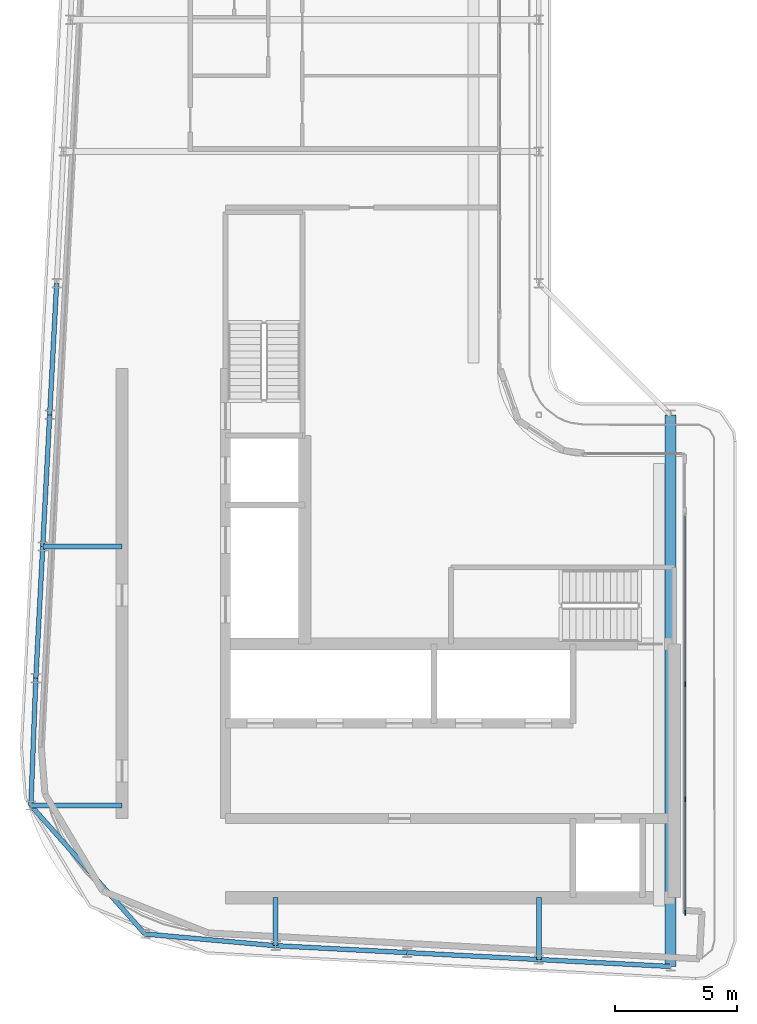
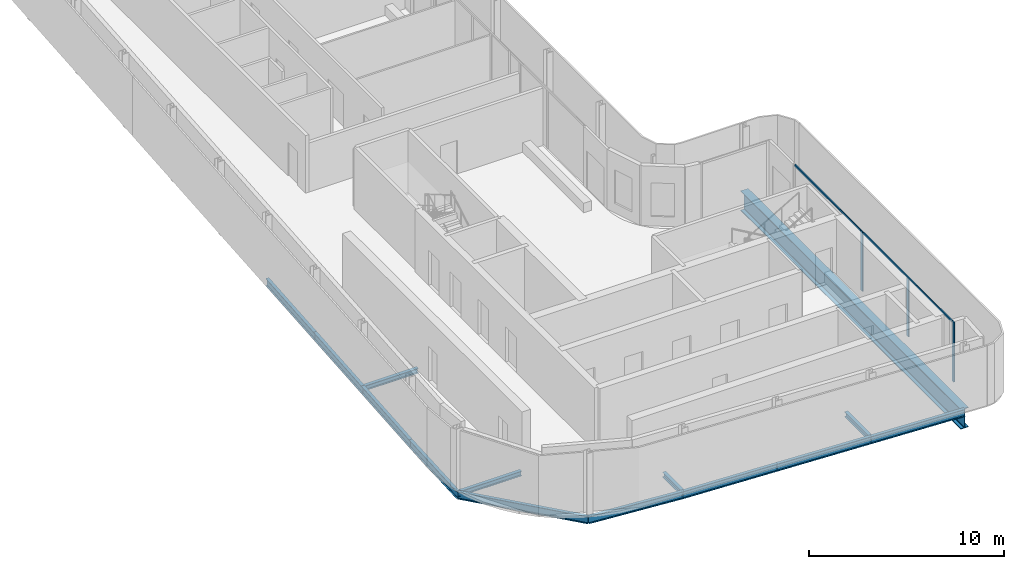
# One storey, part 4 of 18: 14 beams, 5 members, 2 elements without a shape of their own.
"""IFC4 building model written with IfcOpenShell, lengths in metres."""

from ifc_helpers import new_model, si_unit, direction, frame, origin, origin_2d, place, context, subcontext, project, spatial, rectangle, i_section, extrude, material, layer, layer_set, material_profile, profile_set, type_object, element, aggregate, save


model = new_model("IFC4")

# Units and contexts
model_context = context("Model", 3, precision=1e-05, world=origin(), true_north=direction((0.0, 1.0)))
body_context = subcontext(model_context, "Body", "Model", "MODEL_VIEW")
ifc_project = project(units=[si_unit("LENGTHUNIT", "METRE"), si_unit("AREAUNIT", "SQUARE_METRE"), si_unit("VOLUMEUNIT", "CUBIC_METRE"), si_unit("PLANEANGLEUNIT", "RADIAN"), si_unit("MASSUNIT", "GRAM", prefix="KILO")], contexts=[model_context])

# Site, building, storey
site_placement = place(None, origin())
site = spatial("IfcSite", under=ifc_project, at=site_placement, CompositionType="ELEMENT")
building_placement = place(site_placement, origin())
building = spatial("IfcBuilding", under=site, at=building_placement, Name="Kheshtan School and Residences Tower", CompositionType="ELEMENT")
storey_placement = place(building_placement, frame((0.0, 0.0, 381.199951171875)))
storey = spatial("IfcBuildingStorey", under=building, at=storey_placement, Name="L90", CompositionType="ELEMENT", Elevation=381.199951171875)

# Beams
ifc_material_1 = material(Name="Steel ASTM A992 Grade 50", Category="steel")
ifc_material_profile_1 = material_profile(ifc_material_1, i_section(OverallWidth=0.202880859375, OverallDepth=0.302978515625, WebThickness=0.007568359375, FlangeThickness=0.01318359375, FilletRadius=0.009033203125, at=origin_2d()), Name="W310x60")
ifc_profile_set_1 = profile_set([ifc_material_profile_1], Name="Steel ASTM A992 Grade 50")
beam_type_1 = type_object("IfcBeamType", Name="Beam FB1 W310x60 ASTM A992 Grade 50", PredefinedType="BEAM", material=ifc_profile_set_1)
beam_1_placement = place(storey_placement, frame((47.60009765625, 23.263916015625, -0.301513671875), z_axis=(0.0, 1.0, 0.0), x_axis=(-1.0, 0.0, 0.0)))
element("IfcBeam", 1, at=beam_1_placement, inside=storey, type_object=beam_type_1, Name="Floor beam C020", PredefinedType="BEAM", context=body_context, shape_type="SweptSolid", body=[
    extrude(i_section(OverallWidth=0.202880859375, OverallDepth=0.302978515625, WebThickness=0.007568359375, FlangeThickness=0.01318359375, FilletRadius=0.009033203125, at=origin_2d()), origin(), (0.0, 0.0, 1.0), 2.5361328125),
])
beam_2_placement = place(storey_placement, frame((36.800048828125, 23.83203125, -0.301513671875), z_axis=(0.0, 1.0, 0.0), x_axis=(-1.0, 0.0, 0.0)))
element("IfcBeam", 2, at=beam_2_placement, inside=storey, type_object=beam_type_1, Name="Floor beam C022", PredefinedType="BEAM", context=body_context, shape_type="SweptSolid", body=[
    extrude(i_section(OverallWidth=0.202880859375, OverallDepth=0.302978515625, WebThickness=0.007568359375, FlangeThickness=0.01318359375, FilletRadius=0.009033203125, at=origin_2d()), origin(), (0.0, 0.0, 1.0), 1.968017578125),
])
beam_3_placement = place(storey_placement, frame((26.76708984375, 29.58203125, -0.301513671875), z_axis=(1.0, 0.0, 0.0), x_axis=(0.0, 1.0, 0.0)))
element("IfcBeam", 3, at=beam_3_placement, inside=storey, type_object=beam_type_1, Name="Floor beam C048", PredefinedType="BEAM", context=body_context, shape_type="SweptSolid", body=[
    extrude(i_section(OverallWidth=0.202880859375, OverallDepth=0.302978515625, WebThickness=0.007568359375, FlangeThickness=0.01318359375, FilletRadius=0.009033203125, at=origin_2d()), origin(), (0.0, 0.0, 1.0), 3.73291015625),
])
beam_4_placement = place(storey_placement, frame((27.2529296875, 40.199951171875, -0.301513671875), z_axis=(1.0, 0.0, 0.0), x_axis=(0.0, 1.0, 0.0)))
element("IfcBeam", 4, at=beam_4_placement, inside=storey, type_object=beam_type_1, Name="Floor beam C056", PredefinedType="BEAM", context=body_context, shape_type="SweptSolid", body=[
    extrude(i_section(OverallWidth=0.202880859375, OverallDepth=0.302978515625, WebThickness=0.007568359375, FlangeThickness=0.01318359375, FilletRadius=0.009033203125, at=origin_2d()), origin(), (0.0, 0.0, 1.0), 3.2470703125),
])
ifc_material_profile_2 = material_profile(ifc_material_1, i_section(OverallWidth=0.18994140625, OverallDepth=0.45703125, WebThickness=0.009033203125, FlangeThickness=0.014404296875, FilletRadius=0.01318359375, at=origin_2d()), Name="W460x74")
ifc_profile_set_2 = profile_set([ifc_material_profile_2], Name="Steel ASTM A992 Grade 50")
beam_type_2 = type_object("IfcBeamType", Name="Beam SP4 W460x74 ASTM A992 Grade 50", PredefinedType="BEAM", material=ifc_profile_set_2)
beam_5_placement = place(storey_placement, frame((53.0, 22.97998046875, -0.37841796875), z_axis=(-0.998620447272, 0.05250906864, 0.0), x_axis=(-0.05250906864, -0.998620447272, 0.0)))
element("IfcBeam", 5, at=beam_5_placement, inside=storey, type_object=beam_type_2, Name="Spandrel beam C019-C020", PredefinedType="BEAM", context=body_context, shape_type="SweptSolid", body=[
    extrude(i_section(OverallWidth=0.18994140625, OverallDepth=0.45703125, WebThickness=0.009033203125, FlangeThickness=0.014404296875, FilletRadius=0.01318359375, at=origin_2d()), origin(), (0.0, 0.0, 1.0), 5.407470703125),
])
beam_6_placement = place(storey_placement, frame((47.60009765625, 23.263916015625, -0.37841796875), z_axis=(-0.998618203458, 0.052551724256, 0.0), x_axis=(-0.052551724256, -0.998618203458, 0.0)))
element("IfcBeam", 6, at=beam_6_placement, inside=storey, type_object=beam_type_2, Name="Spandrel beam C020-C021", PredefinedType="BEAM", context=body_context, shape_type="SweptSolid", body=[
    extrude(i_section(OverallWidth=0.18994140625, OverallDepth=0.45703125, WebThickness=0.009033203125, FlangeThickness=0.014404296875, FilletRadius=0.01318359375, at=origin_2d()), origin(), (0.0, 0.0, 1.0), 5.40771484375),
])
beam_7_placement = place(storey_placement, frame((42.199951171875, 23.548095703125, -0.37841796875), z_axis=(-0.998620447272, 0.05250906864, 0.0), x_axis=(-0.05250906864, -0.998620447272, 0.0)))
element("IfcBeam", 7, at=beam_7_placement, inside=storey, type_object=beam_type_2, Name="Spandrel beam C021-C022", PredefinedType="BEAM", context=body_context, shape_type="SweptSolid", body=[
    extrude(i_section(OverallWidth=0.18994140625, OverallDepth=0.45703125, WebThickness=0.009033203125, FlangeThickness=0.014404296875, FilletRadius=0.01318359375, at=origin_2d()), origin(), (0.0, 0.0, 1.0), 5.407470703125),
])
beam_8_placement = place(storey_placement, frame((36.800048828125, 23.83203125, -0.37841796875), z_axis=(-0.996036411806, 0.088946424077, 0.0), x_axis=(-0.088946424077, -0.996036411806, 0.0)))
element("IfcBeam", 8, at=beam_8_placement, inside=storey, type_object=beam_type_2, Name="Spandrel beam C022-C034", PredefinedType="BEAM", context=body_context, shape_type="SweptSolid", body=[
    extrude(i_section(OverallWidth=0.18994140625, OverallDepth=0.45703125, WebThickness=0.009033203125, FlangeThickness=0.014404296875, FilletRadius=0.01318359375, at=origin_2d()), origin(), (0.0, 0.0, 1.0), 5.374267578125),
])
beam_9_placement = place(storey_placement, frame((31.447021484375, 24.31005859375, -0.37841796875), z_axis=(-0.663867136248, 0.747850536812, 0.0), x_axis=(-0.747850536812, -0.663867136248, 0.0)))
element("IfcBeam", 9, at=beam_9_placement, inside=storey, type_object=beam_type_2, Name="Spandrel beam C034-C048", PredefinedType="BEAM", context=body_context, shape_type="SweptSolid", body=[
    extrude(i_section(OverallWidth=0.18994140625, OverallDepth=0.45703125, WebThickness=0.009033203125, FlangeThickness=0.014404296875, FilletRadius=0.01318359375, at=origin_2d()), origin(), (0.0, 0.0, 1.0), 7.049560546875),
])
beam_10_placement = place(storey_placement, frame((26.76708984375, 29.58203125, -0.37841796875), z_axis=(0.038664745323, 0.999252239161, 0.0), x_axis=(-0.999252239161, 0.038664745323, 0.0)))
element("IfcBeam", 10, at=beam_10_placement, inside=storey, type_object=beam_type_2, Name="Spandrel beam C048-C052", PredefinedType="BEAM", context=body_context, shape_type="SweptSolid", body=[
    extrude(i_section(OverallWidth=0.18994140625, OverallDepth=0.45703125, WebThickness=0.009033203125, FlangeThickness=0.014404296875, FilletRadius=0.01318359375, at=origin_2d()), origin(), (0.0, 0.0, 1.0), 5.221923828125),
])
beam_11_placement = place(storey_placement, frame((26.968994140625, 34.800048828125, -0.37841796875), z_axis=(0.05250906864, 0.998620447272, 0.0), x_axis=(-0.998620447272, 0.05250906864, 0.0)))
element("IfcBeam", 11, at=beam_11_placement, inside=storey, type_object=beam_type_2, Name="Spandrel beam C052-C056", PredefinedType="BEAM", context=body_context, shape_type="SweptSolid", body=[
    extrude(i_section(OverallWidth=0.18994140625, OverallDepth=0.45703125, WebThickness=0.009033203125, FlangeThickness=0.014404296875, FilletRadius=0.01318359375, at=origin_2d()), origin(), (0.0, 0.0, 1.0), 5.407470703125),
])
beam_12_placement = place(storey_placement, frame((27.2529296875, 40.199951171875, -0.37841796875), z_axis=(0.052551724256, 0.998618203458, 0.0), x_axis=(-0.998618203458, 0.052551724256, 0.0)))
element("IfcBeam", 12, at=beam_12_placement, inside=storey, type_object=beam_type_2, Name="Spandrel beam C056-C059", PredefinedType="BEAM", context=body_context, shape_type="SweptSolid", body=[
    extrude(i_section(OverallWidth=0.18994140625, OverallDepth=0.45703125, WebThickness=0.009033203125, FlangeThickness=0.014404296875, FilletRadius=0.01318359375, at=origin_2d()), origin(), (0.0, 0.0, 1.0), 5.40771484375),
])
beam_13_placement = place(storey_placement, frame((27.537109375, 45.60009765625, -0.37841796875), z_axis=(0.052689166816, 0.998610961136, 0.0), x_axis=(-0.998610961136, 0.052689166816, 0.0)))
element("IfcBeam", 13, at=beam_13_placement, inside=storey, type_object=beam_type_2, Name="Spandrel beam C059-C078", PredefinedType="BEAM", context=body_context, shape_type="SweptSolid", body=[
    extrude(i_section(OverallWidth=0.18994140625, OverallDepth=0.45703125, WebThickness=0.009033203125, FlangeThickness=0.014404296875, FilletRadius=0.01318359375, at=origin_2d()), origin(), (0.0, 0.0, 1.0), 5.407470703125),
])

# Curtain wall, member
ifc_material_2 = material(Name="Clear low-e glass in thermally broken aluminium frame", Category="aluminium")
ifc_layer = layer(ifc_material_2, 0.199951171875)
ifc_layer_set = layer_set([ifc_layer], Name="Curtain wall CW-L")
curtain_wall_type = type_object("IfcCurtainWallType", Name="Curtain wall CW-L", PredefinedType="NOTDEFINED", material=ifc_layer_set)
curtain_wall_1_placement = place(storey_placement, origin())
curtain_wall_1 = element("IfcCurtainWall", 14, at=curtain_wall_1_placement, inside=storey, type_object=curtain_wall_type, Name="Curtain wall CWL13h", PredefinedType="NOTDEFINED")
ifc_material_3 = material(Name="Thermally broken aluminium, dark bronze anodised", Category="aluminium")
ifc_material_profile_3 = material_profile(ifc_material_3, rectangle(XDim=0.06005859375, YDim=0.199951171875, at=origin_2d()), Name="CW-L mullion 60x200")
ifc_profile_set_3 = profile_set([ifc_material_profile_3], Name="Thermally broken aluminium, dark bronze anodised")
member_type_1 = type_object("IfcMemberType", Name="CW-L mullion 60x200", PredefinedType="MULLION", material=ifc_profile_set_3)
member_1_placement = place(storey_placement, frame((53.60009765625, 34.55810546875, 0.0), z_axis=(0.0, 0.0, 1.0), x_axis=(1.0, 0.0, 0.0)))
member_1 = element("IfcMember", 15, at=member_1_placement, type_object=member_type_1, Name="CWL13h mullion 2", PredefinedType="MULLION", context=body_context, shape_type="SweptSolid", body=[
    extrude(rectangle(XDim=0.06005859375, YDim=0.199951171875, at=origin_2d()), origin(), (0.0, 0.0, 1.0), 3.75),
])

# Curtain wall, members
curtain_wall_2_placement = place(storey_placement, origin())
curtain_wall_2 = element("IfcCurtainWall", 16, at=curtain_wall_2_placement, inside=storey, type_object=curtain_wall_type, Name="Curtain wall CWL13i", PredefinedType="NOTDEFINED")
member_2_placement = place(storey_placement, frame((53.60009765625, 29.842041015625, 0.0), z_axis=(0.0, 0.0, 1.0), x_axis=(1.0, 0.0, 0.0)))
member_2 = element("IfcMember", 17, at=member_2_placement, type_object=member_type_1, Name="CWL13i mullion 2", PredefinedType="MULLION", context=body_context, shape_type="SweptSolid", body=[
    extrude(rectangle(XDim=0.06005859375, YDim=0.199951171875, at=origin_2d()), origin(), (0.0, 0.0, 1.0), 3.630126953125),
])
member_3_placement = place(storey_placement, frame((53.60009765625, 25.18603515625, 0.0), z_axis=(0.0, 0.0, 1.0), x_axis=(1.0, 0.0, 0.0)))
member_3 = element("IfcMember", 18, at=member_3_placement, type_object=member_type_1, Name="CWL13i mullion 3", PredefinedType="MULLION", context=body_context, shape_type="SweptSolid", body=[
    extrude(rectangle(XDim=0.06005859375, YDim=0.199951171875, at=origin_2d()), origin(), (0.0, 0.0, 1.0), 3.75),
])

# Member
ifc_material_profile_4 = material_profile(ifc_material_3, rectangle(XDim=0.06005859375, YDim=0.1201171875, at=origin_2d()), Name="CW-L transom 60x120")
ifc_profile_set_4 = profile_set([ifc_material_profile_4], Name="Thermally broken aluminium, dark bronze anodised")
member_type_2 = type_object("IfcMemberType", Name="CW-L transom 60x120", PredefinedType="USERDEFINED", material=ifc_profile_set_4)
member_4_placement = place(storey_placement, frame((53.60009765625, 41.43994140625, 3.68994140625), z_axis=(0.0, -1.0, 0.0), x_axis=(1.0, 0.0, 0.0)))
member_4 = element("IfcMember", 19, at=member_4_placement, type_object=member_type_2, Name="CWL13h transom 1", ObjectType="TRANSOM", PredefinedType="USERDEFINED", context=body_context, shape_type="SweptSolid", body=[
    extrude(rectangle(XDim=0.06005859375, YDim=0.1201171875, at=origin_2d()), origin(), (0.0, 0.0, 1.0), 6.85205078125),
])

aggregate(curtain_wall_1, [member_1, member_4])

member_5_placement = place(storey_placement, frame((53.60009765625, 34.528076171875, 3.68994140625), z_axis=(0.0, -1.0, 0.0), x_axis=(1.0, 0.0, 0.0)))
member_5 = element("IfcMember", 20, at=member_5_placement, type_object=member_type_2, Name="CWL13i transom 1", ObjectType="TRANSOM", PredefinedType="USERDEFINED", context=body_context, shape_type="SweptSolid", body=[
    extrude(rectangle(XDim=0.06005859375, YDim=0.1201171875, at=origin_2d()), origin(), (0.0, 0.0, 1.0), 9.31201171875),
])

aggregate(curtain_wall_2, [member_2, member_3, member_5])

# Beam
ifc_material_profile_5 = material_profile(ifc_material_1, i_section(OverallWidth=0.449951171875, OverallDepth=1.25, WebThickness=0.02490234375, FlangeThickness=0.044921875, FilletRadius=0.03759765625, at=origin_2d()), Name="WWF1250x546")
ifc_profile_set_5 = profile_set([ifc_material_profile_5], Name="Steel ASTM A992 Grade 50")
beam_type_3 = type_object("IfcBeamType", Name="Transfer girder TG4 WWF1250x546 ASTM A992 Grade 50", PredefinedType="BEAM", material=ifc_profile_set_5)
beam_14_placement = place(storey_placement, frame((53.0, 45.60009765625, -0.77490234375), z_axis=(0.0, -1.0, 0.0), x_axis=(1.0, 0.0, 0.0)))
element("IfcBeam", 21, at=beam_14_placement, inside=storey, type_object=beam_type_3, Name="Transfer girder C061-C019", PredefinedType="BEAM", context=body_context, shape_type="SweptSolid", body=[
    extrude(i_section(OverallWidth=0.449951171875, OverallDepth=1.25, WebThickness=0.02490234375, FlangeThickness=0.044921875, FilletRadius=0.03759765625, at=origin_2d()), origin(), (0.0, 0.0, 1.0), 22.6201171875),
])

save(model, "model.ifc")
